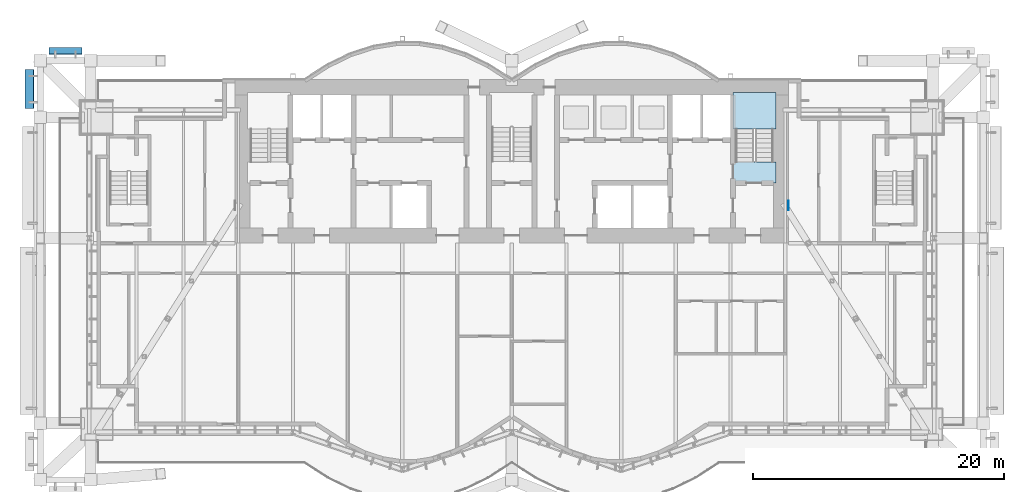
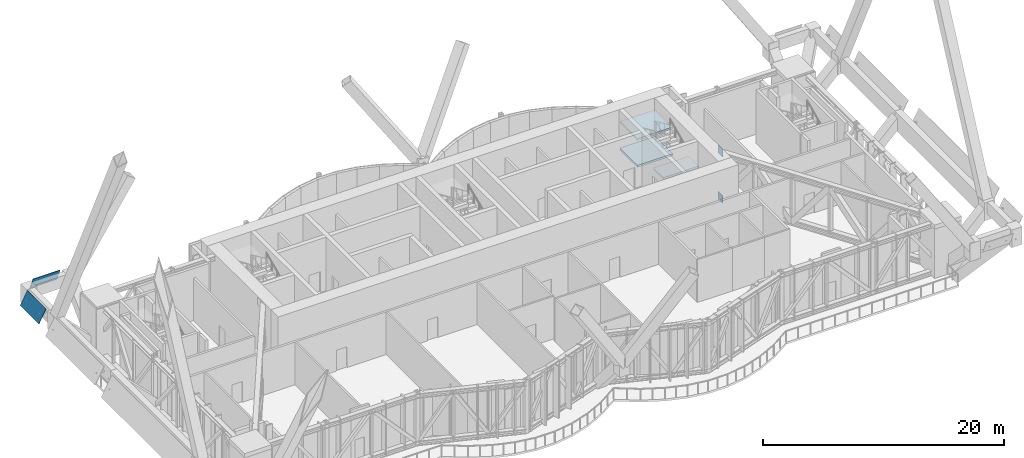
# One storey, part 21 of 31: 4 plates, 3 slabs, 1 element without a shape of its own.
"""IFC4 building model written with IfcOpenShell, lengths in metres."""

import ifcopenshell
import ifcopenshell.guid

model = None  # the IFC model being written
_history = None  # IfcOwnerHistory: only IFC2X3 demands one
_inside = {}  # id of a spatial element -> (the spatial element, [elements in it])
_under = {}  # id of a project, library or spatial element -> (it, [spatial elements below it])
_declared = {}  # id of a project -> (the project, [libraries it declares])
_typed = {}  # id of a type object -> (the type object, [elements of that type])
_made_of = {}  # id of a material, layer set ... -> (it, [elements and type objects made of it])


def new_model(schema):
    """Start an empty IFC model of exactly this schema.

    Asked for "IFC4X3", IfcOpenShell would pick the latest addendum, in which some entities
    have other attributes; the version numbers below select the first issue.
    IFC2X3 requires an IfcOwnerHistory on every rooted entity: one is made here for all.
    """
    global model, _history
    if schema == "IFC4X3":
        model = ifcopenshell.file(schema_version=(4, 3, 0, 0))
    else:
        model = ifcopenshell.file(schema=schema)
    _inside.clear()
    _under.clear()
    _declared.clear()
    _typed.clear()
    _made_of.clear()
    _history = None
    if model.schema == "IFC2X3":
        org = make("IfcOrganization", Name="unknown")
        user = make(
            "IfcPersonAndOrganization",
            ThePerson=make("IfcPerson", FamilyName="unknown"),
            TheOrganization=org,
        )
        app = make(
            "IfcApplication",
            ApplicationDeveloper=org,
            Version="unknown",
            ApplicationFullName="unknown",
            ApplicationIdentifier="unknown",
        )
        _history = make(
            "IfcOwnerHistory",
            OwningUser=user,
            OwningApplication=app,
            ChangeAction="ADDED",
            CreationDate=0,
        )
    return model


def make(cls, **values):
    """One entity of the class cls with the attributes given. An attribute that is None is left unset."""
    return model.create_entity(
        cls, **{name: value for name, value in values.items() if value is not None}
    )


def rooted(cls, **values):
    """An entity with a GlobalId (a new one), such as an element, a storey or a relation."""
    return make(cls, GlobalId=ifcopenshell.guid.new(), OwnerHistory=_history, **values)


def si_unit(unit_type, name, prefix=None):
    """IfcSIUnit, for example si_unit("LENGTHUNIT", "METRE", prefix="MILLI")."""
    return make("IfcSIUnit", UnitType=unit_type, Prefix=prefix, Name=name)


def assignment(units):
    """IfcUnitAssignment: the units of a project."""
    return None if units is None else make("IfcUnitAssignment", Units=units)


def point(xyz):
    """IfcCartesianPoint."""
    return None if xyz is None else make("IfcCartesianPoint", Coordinates=xyz)


def direction(xyz):
    """IfcDirection."""
    return None if xyz is None else make("IfcDirection", DirectionRatios=xyz)


def frame(location, z_axis=None, x_axis=None):
    """IfcAxis2Placement3D, a coordinate frame: its origin and axes. An axis left out is left unset."""
    return make(
        "IfcAxis2Placement3D",
        Location=point(location),
        Axis=direction(z_axis),
        RefDirection=direction(x_axis),
    )


def frame_2d(location, x_axis=None):
    """IfcAxis2Placement2D, a coordinate frame in the plane: its origin and x axis."""
    return make(
        "IfcAxis2Placement2D", Location=point(location), RefDirection=direction(x_axis)
    )


def origin():
    """The frame at (0, 0, 0) with its axes left unset."""
    return frame((0.0, 0.0, 0.0))


def origin_2d():
    """The frame at (0, 0) in the plane with its x axis left unset."""
    return frame_2d((0.0, 0.0))


def place(relative_to, where):
    """IfcLocalPlacement: puts the frame where relative to a parent placement (None: the world)."""
    return make(
        "IfcLocalPlacement", PlacementRelTo=relative_to, RelativePlacement=where
    )


def context(
    kind, dimensions, precision=None, world=None, true_north=None, identifier=None
):
    """IfcGeometricRepresentationContext, for example the 3D "Model" context."""
    return make(
        "IfcGeometricRepresentationContext",
        ContextIdentifier=identifier,
        ContextType=kind,
        CoordinateSpaceDimension=dimensions,
        Precision=precision,
        WorldCoordinateSystem=world,
        TrueNorth=true_north,
    )


def subcontext(parent, identifier, kind, view, scale=None):
    """IfcGeometricRepresentationSubContext, for example "Body" below "Model"."""
    return make(
        "IfcGeometricRepresentationSubContext",
        ContextIdentifier=identifier,
        ContextType=kind,
        ParentContext=parent,
        TargetScale=scale,
        TargetView=view,
    )


def project(units=None, contexts=None):
    """IfcProject with its units and contexts."""
    return rooted(
        "IfcProject",
        Name="project",
        RepresentationContexts=contexts,
        UnitsInContext=assignment(units),
    )


def spatial(cls, under=None, at=None, **own):
    """A site, building, storey or space (cls), placed at a placement, below another one or the project."""
    s = rooted(cls, ObjectPlacement=at, **own)
    if under is not None:
        _under.setdefault(under.id(), (under, []))[1].append(s)
    return s


def polyline(points):
    """IfcPolyline through the points."""
    return make("IfcPolyline", Points=[point(p) for p in points])


def profile(cls, at=None, kind="AREA", **sizes):
    """A parametric profile (cls). Its sizes go by their IFC names, for example OverallWidth=200.0."""
    return make(cls, ProfileType=kind, Position=at, **sizes)


def rectangle(**sizes):
    """IfcRectangleProfileDef."""
    return profile("IfcRectangleProfileDef", **sizes)


def outline(outer, holes=None, kind="AREA"):
    """IfcArbitraryClosedProfileDef: a profile drawn as a closed curve; with holes, ...WithVoids."""
    if holes is None:
        return make("IfcArbitraryClosedProfileDef", ProfileType=kind, OuterCurve=outer)
    return make(
        "IfcArbitraryProfileDefWithVoids",
        ProfileType=kind,
        OuterCurve=outer,
        InnerCurves=holes,
    )


def extrude(swept, where, along, depth):
    """IfcExtrudedAreaSolid: the profile swept, set in the frame where, extruded along a direction by depth."""
    return make(
        "IfcExtrudedAreaSolid",
        SweptArea=swept,
        Position=where,
        ExtrudedDirection=direction(along),
        Depth=depth,
    )


def shape(context_of_items, identifier, shape_type, items):
    """IfcShapeRepresentation: the items that make up one representation, for example the "Body"."""
    return make(
        "IfcShapeRepresentation",
        ContextOfItems=context_of_items,
        RepresentationIdentifier=identifier,
        RepresentationType=shape_type,
        Items=items,
    )


def material(Name=None, Category=None):
    """IfcMaterial."""
    return make("IfcMaterial", Name=Name, Category=Category)


def layer(
    of_material, thickness, ventilated=None, Name=None, Category=None, Priority=None
):
    """IfcMaterialLayer: one layer of a wall or slab, of a material (None: an air gap)."""
    return make(
        "IfcMaterialLayer",
        Material=of_material,
        LayerThickness=thickness,
        IsVentilated=ventilated,
        Name=Name,
        Category=Category,
        Priority=Priority,
    )


def layer_set(layers, Name=None):
    """IfcMaterialLayerSet."""
    return make("IfcMaterialLayerSet", MaterialLayers=layers, LayerSetName=Name)


def made_of(thing, what):
    """Note that an element or type object is made of a material, layer set ...; save() writes the relation."""
    if what is not None:
        _made_of.setdefault(what.id(), (what, []))[1].append(thing)
    return thing


def type_object(cls, material=None, **own):
    """A type object (cls), such as IfcWallType, which elements share."""
    return made_of(rooted(cls, **own), material)


def element(
    cls,
    number,
    at=None,
    inside=None,
    cuts=None,
    type_object=None,
    material=None,
    context=None,
    identifier="Body",
    shape_type=None,
    held_by="IfcProductDefinitionShape",
    body=None,
    shapes=None,
    **own,
):
    """One element of the class cls, such as IfcWall. Its Tag is "e" and its number.

    at: its placement. inside: the storey or other place that contains it. cuts: it is an
    opening in that element (IfcRelVoidsElement). A single representation is given by context,
    identifier, shape_type and body (its items); several are given by shapes. held_by: the class
    of the entity that holds the representations. save() writes the other relations.
    """
    e = rooted(cls, Tag="e%d" % number, ObjectPlacement=at, **own)
    if body is not None:
        shapes = [shape(context, identifier, shape_type, body)]
    if shapes is not None:
        e.Representation = make(held_by, Representations=shapes)
    if inside is not None:
        _inside.setdefault(inside.id(), (inside, []))[1].append(e)
    if cuts is not None:
        rooted(
            "IfcRelVoidsElement", RelatingBuildingElement=cuts, RelatedOpeningElement=e
        )
    if type_object is not None:
        _typed.setdefault(type_object.id(), (type_object, []))[1].append(e)
    return made_of(e, material)


def aggregate(whole, parts):
    """IfcRelAggregates: a whole, such as a stair, and the parts it consists of."""
    return rooted("IfcRelAggregates", RelatingObject=whole, RelatedObjects=parts)


def save(model, path):
    """Write the relations noted so far, then the file.

    IfcRelAggregates (storeys below a building ...), IfcRelContainedInSpatialStructure (elements
    in a storey), IfcRelDefinesByType, IfcRelAssociatesMaterial and IfcRelDeclares: one each for
    every whole, place, type object, material and project.
    """
    for whole, parts in _under.values():
        aggregate(whole, parts)
    for where, things in _inside.values():
        rooted(
            "IfcRelContainedInSpatialStructure",
            RelatedElements=things,
            RelatingStructure=where,
        )
    for kind, things in _typed.values():
        rooted("IfcRelDefinesByType", RelatedObjects=things, RelatingType=kind)
    for what, things in _made_of.values():
        rooted("IfcRelAssociatesMaterial", RelatedObjects=things, RelatingMaterial=what)
    for by, libraries in _declared.values():
        rooted("IfcRelDeclares", RelatingContext=by, RelatedDefinitions=libraries)
    model.write(path)


model = new_model("IFC4")

# Units and contexts
model_context = context("Model", 3, precision=1e-05, world=origin(), true_north=direction((0.0, 1.0)))
body_context = subcontext(model_context, "Body", "Model", "MODEL_VIEW")
ifc_project = project(units=[si_unit("LENGTHUNIT", "METRE"), si_unit("AREAUNIT", "SQUARE_METRE"), si_unit("VOLUMEUNIT", "CUBIC_METRE"), si_unit("PLANEANGLEUNIT", "RADIAN"), si_unit("MASSUNIT", "GRAM", prefix="KILO")], contexts=[model_context])

# Site, building, storey
site_placement = place(None, origin())
site = spatial("IfcSite", under=ifc_project, at=site_placement, CompositionType="ELEMENT")
building_placement = place(site_placement, origin())
building = spatial("IfcBuilding", under=site, at=building_placement, Name="Bicima Exchange Tower", CompositionType="ELEMENT")
storey_placement = place(building_placement, frame((0.0, 0.0, 236.0)))
storey = spatial("IfcBuildingStorey", under=building, at=storey_placement, Name="L53", CompositionType="ELEMENT", Elevation=236.0)

# Plates
ifc_material_1 = material(Name="Dark tinted spandrel glass", Category="glass")
ifc_layer_1 = layer(ifc_material_1, 0.0400390625)
ifc_layer_set_1 = layer_set([ifc_layer_1], Name="Dark tinted spandrel glass")
plate_type_1 = type_object("IfcPlateType", Name="Belt fascia glass panel 40", PredefinedType="SHEET", material=ifc_layer_set_1)
plate_1_placement = place(storey_placement, frame((-34.199951171875, 2.576416015625, 4.050048828125), z_axis=(0.0, 0.919715682457, 0.39258510344), x_axis=(-1.0, 0.0, 0.0)))
element("IfcPlate", 1, at=plate_1_placement, inside=storey, type_object=plate_type_1, Name="Belt fascia glass panel", PredefinedType="SHEET", context=body_context, shape_type="SweptSolid", body=[
    extrude(outline(polyline([(0.0, 0.0), (2.60009765625, 0.0), (2.60009765625, 1.3917663048388182), (0.0, 1.3917663048388182), (0.0, 0.0)])), origin(), (0.0, 0.0, -1.0), 0.0400390625),
])
plate_2_placement = place(storey_placement, frame((-38.732421875, 0.800048828125, 4.050048828125), z_axis=(-0.876685030348, 0.0, 0.481064816386), x_axis=(0.0, -1.0, 0.0)))
element("IfcPlate", 2, at=plate_2_placement, inside=storey, type_object=plate_type_1, Name="Belt fascia glass panel", PredefinedType="SHEET", context=body_context, shape_type="SweptSolid", body=[
    extrude(outline(polyline([(0.0, 0.0), (3.10009765625, 0.0), (3.10009765625, 1.4600788796032191), (0.0, 1.4600788796032191), (0.0, 0.0)])), origin(), (0.0, 0.0, -1.0), 0.0400390625),
])
ifc_material_2 = material(Name="Steel ASTM A572 Gr 50", Category="steel")
ifc_layer_2 = layer(ifc_material_2, 0.0400390625)
ifc_layer_set_2 = layer_set([ifc_layer_2], Name="Steel ASTM A572 Gr 50")
plate_type_2 = type_object("IfcPlateType", Name="Cast-in plate 40", PredefinedType="SHEET", material=ifc_layer_set_2)
for number, where, z_axis, x_axis, name in (
    (3, (22.02001953125, -10.0, 4.5810546875), (0.0, 0.0, 1.0), (1.0, 0.0, 0.0), "Cast-in plate at core wall"),
    (4, (22.02001953125, -10.0, -0.10009765625), (0.0, 0.0, 1.0), (1.0, 0.0, 0.0), "Cast-in plate at core wall"),
):
    element("IfcPlate", number, at=place(storey_placement, frame(where, z_axis=z_axis, x_axis=x_axis)), inside=storey, type_object=plate_type_2, Name=name, PredefinedType="SHEET", context=body_context, shape_type="SweptSolid", body=[
        extrude(rectangle(XDim=0.0400390625, YDim=0.754638671875, at=origin_2d()), origin(), (0.0, 0.0, 1.0), 0.76904296875),
    ])

# Stair, slabs
ifc_material_3 = material(Name="Concrete C50/60", Category="concrete")
stair_type = type_object("IfcStairType", Name="Exit stair", PredefinedType="HALF_TURN_STAIR", material=ifc_material_3)
stair_placement = place(storey_placement, origin())
stair = element("IfcStair", 5, at=stair_placement, inside=storey, type_object=stair_type, Name="L53 East exit stair", PredefinedType="HALF_TURN_STAIR")
ifc_layer_3 = layer(ifc_material_3, 0.199951171875)
ifc_layer_set_3 = layer_set([ifc_layer_3], Name="Concrete C50/60")
slab_type = type_object("IfcSlabType", Name="Stair landing slab", PredefinedType="LANDING", material=ifc_layer_set_3)
slab_1_placement = place(storey_placement, frame((0.0, 0.0, 1.14990234375)))
slab_1 = element("IfcSlab", 6, at=slab_1_placement, type_object=slab_type, Name="ST-E landing 1", PredefinedType="LANDING", context=body_context, shape_type="SweptSolid", body=[
    extrude(outline(polyline([(21.0, -3.919921875), (21.0, -1.0), (17.60009765625, -1.0), (17.60009765625, -3.919921875), (21.0, -3.919921875)])), origin(), (0.0, 0.0, 1.0), 0.2001953125),
])
slab_2_placement = place(storey_placement, frame((0.0, 0.0, 2.5)))
slab_2 = element("IfcSlab", 7, at=slab_2_placement, type_object=slab_type, Name="ST-E landing 2", PredefinedType="LANDING", context=body_context, shape_type="SweptSolid", body=[
    extrude(outline(polyline([(21.0, -8.199951171875), (21.0, -6.550048828125), (17.60009765625, -6.550048828125), (17.60009765625, -8.199951171875), (21.0, -8.199951171875)])), origin(), (0.0, 0.0, 1.0), 0.199951171875),
])
slab_3_placement = place(storey_placement, frame((0.0, 0.0, 3.85009765625)))
slab_3 = element("IfcSlab", 8, at=slab_3_placement, type_object=slab_type, Name="ST-E landing 3", PredefinedType="LANDING", context=body_context, shape_type="SweptSolid", body=[
    extrude(outline(polyline([(21.0, -3.919921875), (21.0, -1.0), (17.60009765625, -1.0), (17.60009765625, -3.919921875), (21.0, -3.919921875)])), origin(), (0.0, 0.0, 1.0), 0.199951171875),
])
aggregate(stair, [slab_1, slab_2, slab_3])

save(model, "model.ifc")
